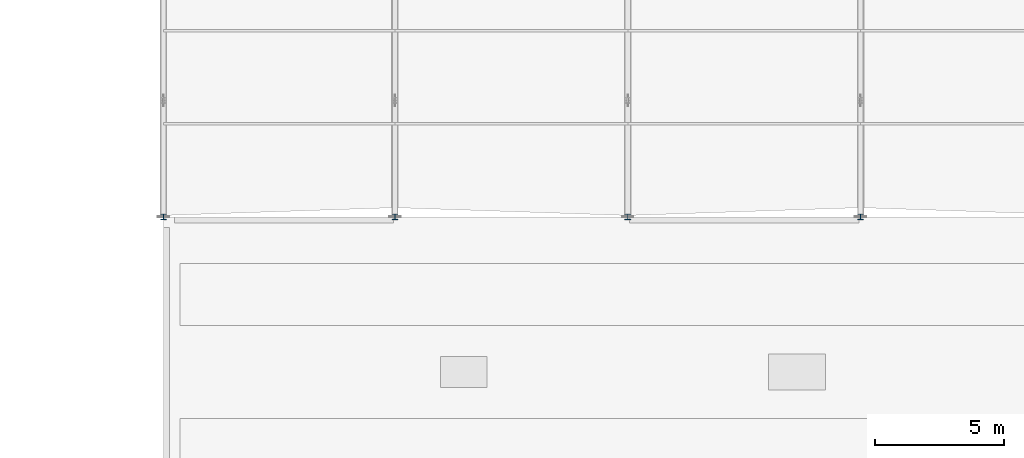
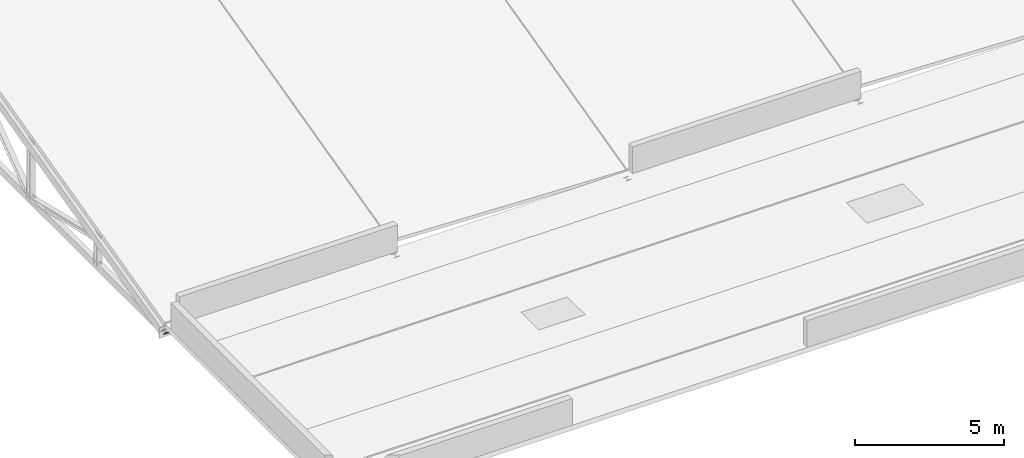
# One storey, part 14 of 36: 4 members.
"""IFC4 building model written with IfcOpenShell, lengths in metres."""

from ifc_helpers import new_model, si_unit, direction, frame, origin, origin_2d, place, context, subcontext, project, spatial, i_section, extrude, material, material_profile, profile_set, type_object, element, save


model = new_model("IFC4")

# Units and contexts
model_context = context("Model", 3, precision=1e-05, world=origin(), true_north=direction((0.0, 1.0)))
body_context = subcontext(model_context, "Body", "Model", "MODEL_VIEW")
ifc_project = project(units=[si_unit("LENGTHUNIT", "METRE"), si_unit("AREAUNIT", "SQUARE_METRE"), si_unit("VOLUMEUNIT", "CUBIC_METRE"), si_unit("PLANEANGLEUNIT", "RADIAN"), si_unit("MASSUNIT", "GRAM", prefix="KILO")], contexts=[model_context])

# Site, building, storey
site_placement = place(None, origin())
site = spatial("IfcSite", under=ifc_project, at=site_placement, CompositionType="ELEMENT")
building_placement = place(site_placement, origin())
building = spatial("IfcBuilding", under=site, at=building_placement, Name="Montelvaro Courts of Justice", CompositionType="ELEMENT")
storey_placement = place(building_placement, frame((0.0, 0.0, 23.39990234375)))
storey = spatial("IfcBuildingStorey", under=building, at=storey_placement, Name="L05", CompositionType="ELEMENT", Elevation=23.39990234375)

# Members
ifc_material = material(Name="Steel S355", Category="steel")
ifc_material_profile = material_profile(ifc_material, i_section(OverallWidth=0.219970703125, OverallDepth=0.2099609375, WebThickness=0.007080078125, FlangeThickness=0.010986328125, at=origin_2d()), Name="HEA 220")
ifc_profile_set = profile_set([ifc_material_profile], Name="Steel S355")
member_type = type_object("IfcMemberType", Name="Mem_HEA220_Post", PredefinedType="POST", material=ifc_profile_set)
for number, where, z_axis, x_axis, name in (
    (1, (99.050048828125, 78.0, -0.2998046875), (0.0, 0.0, -1.0), (1.0, 0.0, 0.0), "Roof Truss Post MP-03 ROOF-V2-VTR01-V0"),
    (2, (108.0, 78.0, -0.2998046875), (0.0, 0.0, -1.0), (1.0, 0.0, 0.0), "Roof Truss Post MP-03 ROOF-V2-VTR02-V0"),
    (3, (117.0, 78.0, -0.2998046875), (0.0, 0.0, -1.0), (1.0, 0.0, 0.0), "Roof Truss Post MP-03 ROOF-V2-VTR03-V0"),
    (4, (126.0, 78.0, -0.2998046875), (0.0, 0.0, -1.0), (1.0, 0.0, 0.0), "Roof Truss Post MP-03 ROOF-V2-VTR04-V0"),
):
    element("IfcMember", number, at=place(storey_placement, frame(where, z_axis=z_axis, x_axis=x_axis)), inside=storey, type_object=member_type, Name=name, PredefinedType="POST", context=body_context, shape_type="SweptSolid", body=[
        extrude(i_section(OverallWidth=0.219970703125, OverallDepth=0.2099609375, WebThickness=0.007080078125, FlangeThickness=0.010986328125, at=origin_2d()), origin(), (0.0, 0.0, 1.0), 0.050048828125),
    ])

save(model, "model.ifc")
